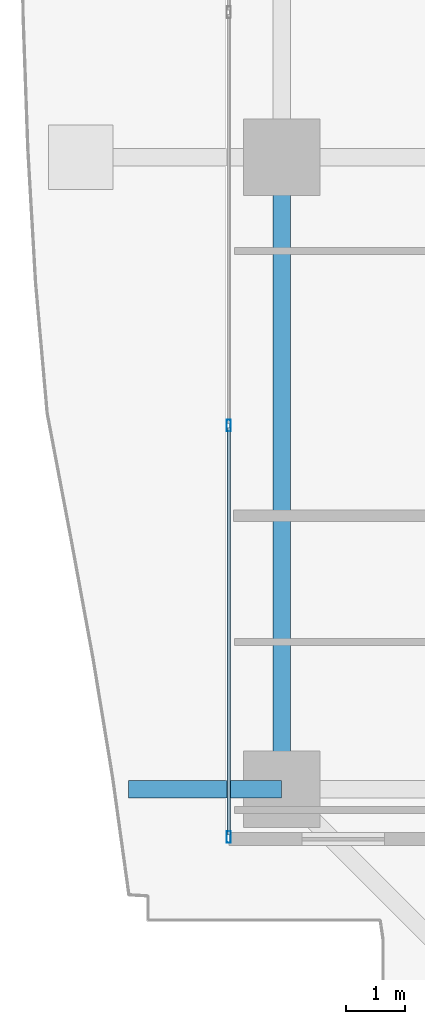
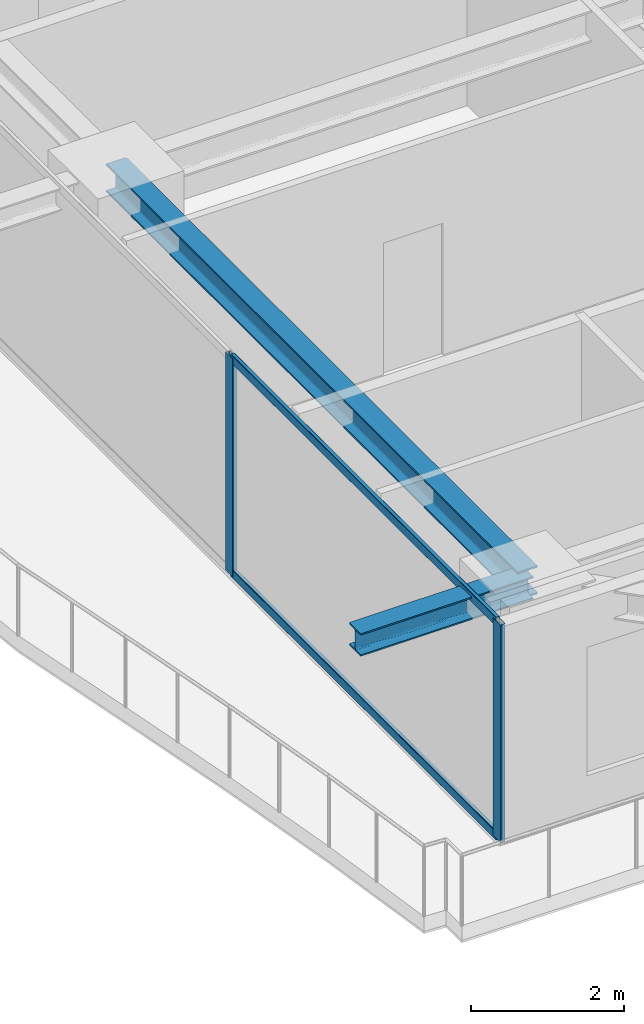
# One storey, part 3 of 38: 4 members, 2 beams, 1 element without a shape of its own.
"""IFC4 building model written with IfcOpenShell, lengths in metres."""

from ifc_helpers import new_model, si_unit, direction, frame, origin, origin_2d, place, context, subcontext, project, spatial, hollow_rectangle, i_section, extrude, source, transform, mapped, material, layer, layer_set, material_profile, profile_set, type_object, element, aggregate, save


model = new_model("IFC4")

# Units and contexts
model_context = context("Model", 3, precision=1e-05, world=origin(), true_north=direction((0.0, 1.0)))
body_context = subcontext(model_context, "Body", "Model", "MODEL_VIEW")
ifc_project = project(units=[si_unit("LENGTHUNIT", "METRE"), si_unit("AREAUNIT", "SQUARE_METRE"), si_unit("VOLUMEUNIT", "CUBIC_METRE"), si_unit("PLANEANGLEUNIT", "RADIAN"), si_unit("MASSUNIT", "GRAM", prefix="KILO")], contexts=[model_context])

# Site, building, storey
site_placement = place(None, origin())
site = spatial("IfcSite", under=ifc_project, at=site_placement, CompositionType="ELEMENT")
building_placement = place(site_placement, origin())
building = spatial("IfcBuilding", under=site, at=building_placement, Name="Serunith Strait Residences", CompositionType="ELEMENT")
storey_placement = place(building_placement, frame((0.0, 0.0, 120.14990234375)))
storey = spatial("IfcBuildingStorey", under=building, at=storey_placement, Name="L29", CompositionType="ELEMENT", Elevation=120.14990234375)

# Beams
ifc_material_1 = material(Name="Steel S355J2", Category="steel")
ifc_material_profile_1 = material_profile(ifc_material_1, i_section(OverallWidth=0.300048828125, OverallDepth=0.449951171875, WebThickness=0.013916015625, FlangeThickness=0.02587890625, FilletRadius=0.027099609375, at=origin_2d()), Name="HEB 450")
ifc_profile_set_1 = profile_set([ifc_material_profile_1], Name="Steel S355J2")
beam_type_1 = type_object("IfcBeamType", Name="BM-HEB450", PredefinedType="BEAM", material=ifc_profile_set_1)
shared_shape_1 = source(origin(), body_context, "Body", "SweptSolid", [
    extrude(i_section(OverallWidth=0.300048828125, OverallDepth=0.449951171875, WebThickness=0.013916015625, FlangeThickness=0.02587890625, FilletRadius=0.027099609375, at=origin_2d()), origin(), (0.0, 0.0, 1.0), 10.75),
])
beam_1_placement = place(storey_placement, frame((8.699951171875, 21.0, 3.26220703125), z_axis=(0.0, -1.0, 0.0), x_axis=(1.0, 0.0, 0.0)))
element("IfcBeam", 1, at=beam_1_placement, inside=storey, type_object=beam_type_1, Name="L29 Perimeter Ring Beam 15", PredefinedType="BEAM", context=body_context, shape_type="MappedRepresentation", body=[
    mapped(shared_shape_1, transform((0.0, 0.0, 0.0), scale=1.0)),
])
ifc_material_profile_2 = material_profile(ifc_material_1, i_section(OverallWidth=0.300048828125, OverallDepth=0.360107421875, WebThickness=0.012451171875, FlangeThickness=0.0224609375, FilletRadius=0.027099609375, at=origin_2d()), Name="HEB 360")
ifc_profile_set_2 = profile_set([ifc_material_profile_2], Name="Steel S355J2")
beam_type_2 = type_object("IfcBeamType", Name="BM-HEB360", PredefinedType="BEAM", material=ifc_profile_set_2)
shared_shape_2 = source(origin(), body_context, "Body", "SweptSolid", [
    extrude(i_section(OverallWidth=0.300048828125, OverallDepth=0.360107421875, WebThickness=0.012451171875, FlangeThickness=0.0224609375, FilletRadius=0.027099609375, at=origin_2d()), origin(), (0.0, 0.0, 1.0), 2.603271484375),
])
beam_2_placement = place(storey_placement, frame((8.699951171875, 10.25, 3.277099609375), z_axis=(-1.0, 0.0, 0.0), x_axis=(0.0, -1.0, 0.0)))
element("IfcBeam", 2, at=beam_2_placement, inside=storey, type_object=beam_type_2, Name="L30 Cantilevered Balcony Rib TC-W1", PredefinedType="BEAM", context=body_context, shape_type="MappedRepresentation", body=[
    mapped(shared_shape_2, transform((0.0, 0.0, 0.0), scale=1.0)),
])

# Curtain wall, members
ifc_material_2 = material(Name="Pale-Champagne Anodised Aluminium", Category="aluminium")
ifc_layer = layer(ifc_material_2, 0.199951171875, Name="Pale-Champagne Anodised Aluminium")
ifc_layer_set = layer_set([ifc_layer], Name="Pale-Champagne Anodised Aluminium")
curtain_wall_type = type_object("IfcCurtainWallType", Name="CW-SYS2", PredefinedType="NOTDEFINED", material=ifc_layer_set)
curtain_wall_placement = place(storey_placement, origin())
curtain_wall = element("IfcCurtainWall", 3, at=curtain_wall_placement, inside=storey, type_object=curtain_wall_type, Name="L29 W Unitised Fritted Curtain Wall", PredefinedType="NOTDEFINED")
ifc_material_profile_3 = material_profile(ifc_material_2, hollow_rectangle(XDim=0.070068359375, YDim=0.199951171875, WallThickness=0.00390625, InnerFilletRadius=0.006103515625, OuterFilletRadius=0.010009765625, at=origin_2d()), Name="ALU 200x70x4")
ifc_profile_set_3 = profile_set([ifc_material_profile_3], Name="Pale-Champagne Anodised Aluminium")
member_type_1 = type_object("IfcMemberType", Name="CW-SYS2-MULL", PredefinedType="MULLION", material=ifc_profile_set_3)
shared_shape_3 = source(origin(), body_context, "Body", "SweptSolid", [
    extrude(hollow_rectangle(XDim=0.070068359375, YDim=0.199951171875, WallThickness=0.00390625, InnerFilletRadius=0.006103515625, OuterFilletRadius=0.010009765625, at=origin_2d()), origin(), (0.0, 0.0, 1.0), 3.47509765625),
])
member_1_placement = place(storey_placement, frame((7.800048828125, 16.433349609375, 0.0), z_axis=(0.0, 0.0, 1.0), x_axis=(1.0, 0.0, 0.0)))
member_1 = element("IfcMember", 4, at=member_1_placement, type_object=member_type_1, Name="CW-2 mullion 3", PredefinedType="MULLION", context=body_context, shape_type="MappedRepresentation", body=[
    mapped(shared_shape_3, transform((0.0, 0.0, 0.0), scale=1.0)),
])
member_2_placement = place(storey_placement, frame((7.800048828125, 9.43505859375, 0.0), z_axis=(0.0, 0.0, 1.0), x_axis=(1.0, 0.0, 0.0)))
member_2 = element("IfcMember", 5, at=member_2_placement, type_object=member_type_1, Name="CW-2 mullion 4", PredefinedType="MULLION", context=body_context, shape_type="MappedRepresentation", body=[
    mapped(shared_shape_3, transform((0.0, 0.0, 0.0), scale=1.0)),
])
ifc_material_profile_4 = material_profile(ifc_material_2, hollow_rectangle(XDim=0.06005859375, YDim=0.139892578125, WallThickness=0.00341796875, InnerFilletRadius=0.00537109375, OuterFilletRadius=0.0087890625, at=origin_2d()), Name="ALU 140x60x3.5")
ifc_profile_set_4 = profile_set([ifc_material_profile_4], Name="Pale-Champagne Anodised Aluminium")
member_type_2 = type_object("IfcMemberType", Name="CW-SYS2-TRAN", PredefinedType="USERDEFINED", material=ifc_profile_set_4)
shared_shape_4 = source(origin(), body_context, "Body", "SweptSolid", [
    extrude(hollow_rectangle(XDim=0.06005859375, YDim=0.139892578125, WallThickness=0.00341796875, InnerFilletRadius=0.00537109375, OuterFilletRadius=0.0087890625, at=origin_2d()), origin(), (0.0, 0.0, 1.0), 6.928466796875),
])
member_3_placement = place(storey_placement, frame((7.800048828125, 16.3984375, 0.030029296875), z_axis=(0.0, -1.0, 0.0), x_axis=(1.0, 0.0, 0.0)))
member_3 = element("IfcMember", 6, at=member_3_placement, type_object=member_type_2, Name="CW-2 transom 3.1", ObjectType="TRANSOM", PredefinedType="USERDEFINED", context=body_context, shape_type="MappedRepresentation", body=[
    mapped(shared_shape_4, transform((0.0, 0.0, 0.0), scale=1.0)),
])
member_4_placement = place(storey_placement, frame((7.800048828125, 16.3984375, 3.445068359375), z_axis=(0.0, -1.0, 0.0), x_axis=(1.0, 0.0, 0.0)))
member_4 = element("IfcMember", 7, at=member_4_placement, type_object=member_type_2, Name="CW-2 transom 3.2", ObjectType="TRANSOM", PredefinedType="USERDEFINED", context=body_context, shape_type="MappedRepresentation", body=[
    mapped(shared_shape_4, transform((0.0, 0.0, 0.0), scale=1.0)),
])
aggregate(curtain_wall, [member_1, member_2, member_3, member_4])

save(model, "model.ifc")
